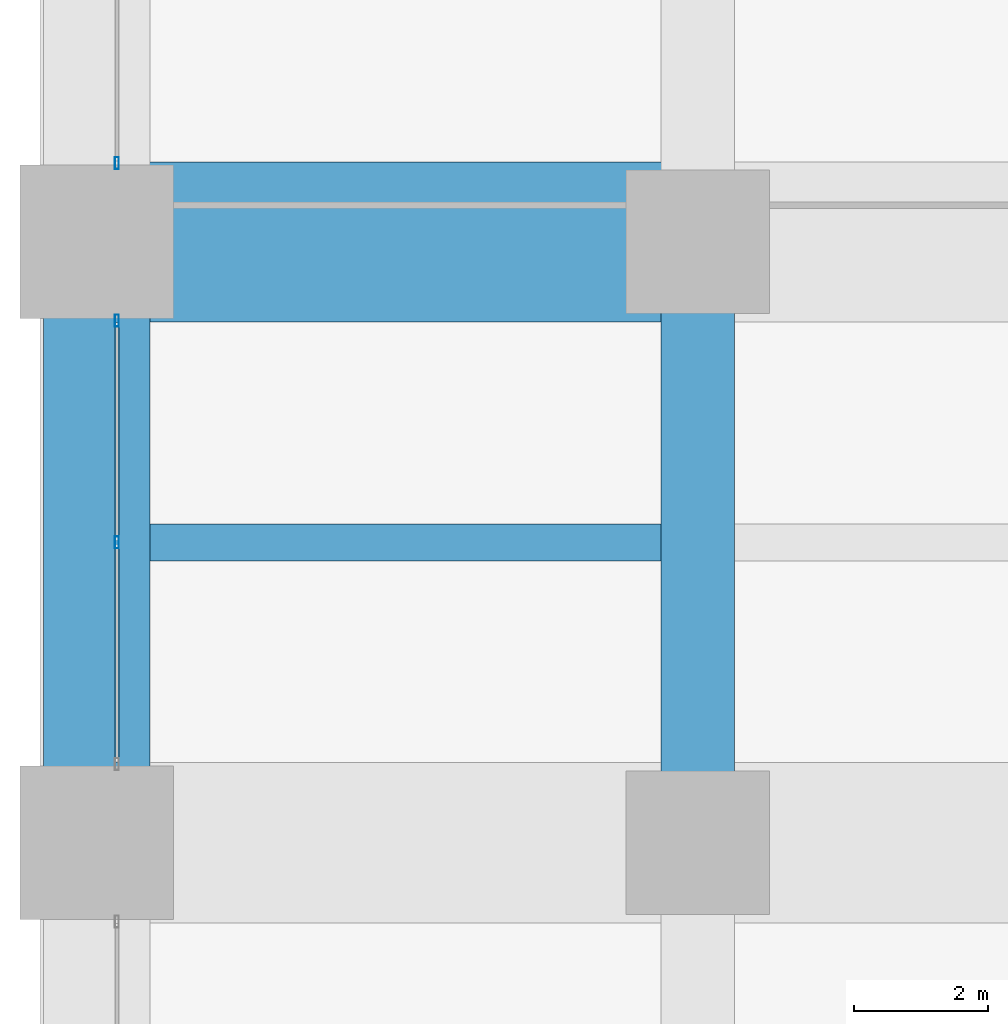
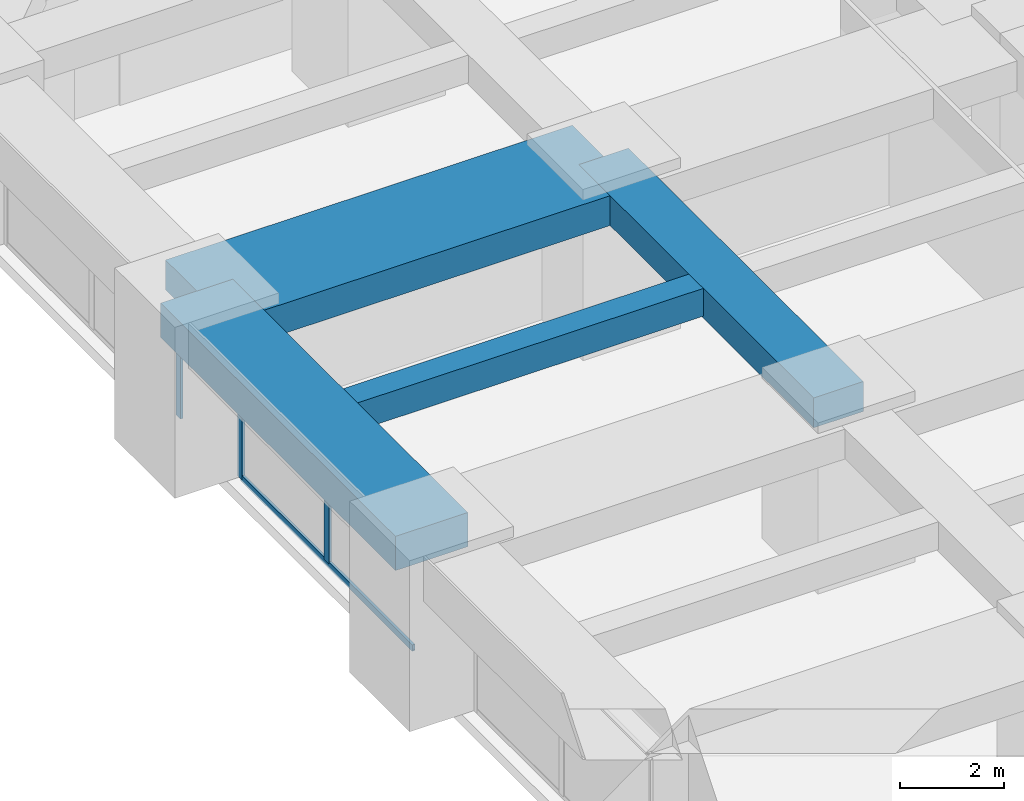
# One storey, part 23 of 43: 4 beams, 4 members, 2 elements without a shape of their own.
"""IFC4 building model written with IfcOpenShell, lengths in metres."""

import ifcopenshell
import ifcopenshell.guid

model = None  # the IFC model being written
_history = None  # IfcOwnerHistory: only IFC2X3 demands one
_inside = {}  # id of a spatial element -> (the spatial element, [elements in it])
_under = {}  # id of a project, library or spatial element -> (it, [spatial elements below it])
_declared = {}  # id of a project -> (the project, [libraries it declares])
_typed = {}  # id of a type object -> (the type object, [elements of that type])
_made_of = {}  # id of a material, layer set ... -> (it, [elements and type objects made of it])


def new_model(schema):
    """Start an empty IFC model of exactly this schema.

    Asked for "IFC4X3", IfcOpenShell would pick the latest addendum, in which some entities
    have other attributes; the version numbers below select the first issue.
    IFC2X3 requires an IfcOwnerHistory on every rooted entity: one is made here for all.
    """
    global model, _history
    if schema == "IFC4X3":
        model = ifcopenshell.file(schema_version=(4, 3, 0, 0))
    else:
        model = ifcopenshell.file(schema=schema)
    _inside.clear()
    _under.clear()
    _declared.clear()
    _typed.clear()
    _made_of.clear()
    _history = None
    if model.schema == "IFC2X3":
        org = make("IfcOrganization", Name="unknown")
        user = make(
            "IfcPersonAndOrganization",
            ThePerson=make("IfcPerson", FamilyName="unknown"),
            TheOrganization=org,
        )
        app = make(
            "IfcApplication",
            ApplicationDeveloper=org,
            Version="unknown",
            ApplicationFullName="unknown",
            ApplicationIdentifier="unknown",
        )
        _history = make(
            "IfcOwnerHistory",
            OwningUser=user,
            OwningApplication=app,
            ChangeAction="ADDED",
            CreationDate=0,
        )
    return model


def make(cls, **values):
    """One entity of the class cls with the attributes given. An attribute that is None is left unset."""
    return model.create_entity(
        cls, **{name: value for name, value in values.items() if value is not None}
    )


def rooted(cls, **values):
    """An entity with a GlobalId (a new one), such as an element, a storey or a relation."""
    return make(cls, GlobalId=ifcopenshell.guid.new(), OwnerHistory=_history, **values)


def si_unit(unit_type, name, prefix=None):
    """IfcSIUnit, for example si_unit("LENGTHUNIT", "METRE", prefix="MILLI")."""
    return make("IfcSIUnit", UnitType=unit_type, Prefix=prefix, Name=name)


def assignment(units):
    """IfcUnitAssignment: the units of a project."""
    return None if units is None else make("IfcUnitAssignment", Units=units)


def point(xyz):
    """IfcCartesianPoint."""
    return None if xyz is None else make("IfcCartesianPoint", Coordinates=xyz)


def direction(xyz):
    """IfcDirection."""
    return None if xyz is None else make("IfcDirection", DirectionRatios=xyz)


def frame(location, z_axis=None, x_axis=None):
    """IfcAxis2Placement3D, a coordinate frame: its origin and axes. An axis left out is left unset."""
    return make(
        "IfcAxis2Placement3D",
        Location=point(location),
        Axis=direction(z_axis),
        RefDirection=direction(x_axis),
    )


def frame_2d(location, x_axis=None):
    """IfcAxis2Placement2D, a coordinate frame in the plane: its origin and x axis."""
    return make(
        "IfcAxis2Placement2D", Location=point(location), RefDirection=direction(x_axis)
    )


def origin():
    """The frame at (0, 0, 0) with its axes left unset."""
    return frame((0.0, 0.0, 0.0))


def origin_2d():
    """The frame at (0, 0) in the plane with its x axis left unset."""
    return frame_2d((0.0, 0.0))


def place(relative_to, where):
    """IfcLocalPlacement: puts the frame where relative to a parent placement (None: the world)."""
    return make(
        "IfcLocalPlacement", PlacementRelTo=relative_to, RelativePlacement=where
    )


def context(
    kind, dimensions, precision=None, world=None, true_north=None, identifier=None
):
    """IfcGeometricRepresentationContext, for example the 3D "Model" context."""
    return make(
        "IfcGeometricRepresentationContext",
        ContextIdentifier=identifier,
        ContextType=kind,
        CoordinateSpaceDimension=dimensions,
        Precision=precision,
        WorldCoordinateSystem=world,
        TrueNorth=true_north,
    )


def subcontext(parent, identifier, kind, view, scale=None):
    """IfcGeometricRepresentationSubContext, for example "Body" below "Model"."""
    return make(
        "IfcGeometricRepresentationSubContext",
        ContextIdentifier=identifier,
        ContextType=kind,
        ParentContext=parent,
        TargetScale=scale,
        TargetView=view,
    )


def project(units=None, contexts=None):
    """IfcProject with its units and contexts."""
    return rooted(
        "IfcProject",
        Name="project",
        RepresentationContexts=contexts,
        UnitsInContext=assignment(units),
    )


def spatial(cls, under=None, at=None, **own):
    """A site, building, storey or space (cls), placed at a placement, below another one or the project."""
    s = rooted(cls, ObjectPlacement=at, **own)
    if under is not None:
        _under.setdefault(under.id(), (under, []))[1].append(s)
    return s


def profile(cls, at=None, kind="AREA", **sizes):
    """A parametric profile (cls). Its sizes go by their IFC names, for example OverallWidth=200.0."""
    return make(cls, ProfileType=kind, Position=at, **sizes)


def rectangle(**sizes):
    """IfcRectangleProfileDef."""
    return profile("IfcRectangleProfileDef", **sizes)


def hollow_rectangle(**sizes):
    """IfcRectangleHollowProfileDef."""
    return profile("IfcRectangleHollowProfileDef", **sizes)


def extrude(swept, where, along, depth):
    """IfcExtrudedAreaSolid: the profile swept, set in the frame where, extruded along a direction by depth."""
    return make(
        "IfcExtrudedAreaSolid",
        SweptArea=swept,
        Position=where,
        ExtrudedDirection=direction(along),
        Depth=depth,
    )


def shape(context_of_items, identifier, shape_type, items):
    """IfcShapeRepresentation: the items that make up one representation, for example the "Body"."""
    return make(
        "IfcShapeRepresentation",
        ContextOfItems=context_of_items,
        RepresentationIdentifier=identifier,
        RepresentationType=shape_type,
        Items=items,
    )


def material(Name=None, Category=None):
    """IfcMaterial."""
    return make("IfcMaterial", Name=Name, Category=Category)


def material_profile(
    of_material, cross_section, Name=None, Category=None, Priority=None
):
    """IfcMaterialProfile: a cross section and its material."""
    return make(
        "IfcMaterialProfile",
        Name=Name,
        Material=of_material,
        Profile=cross_section,
        Priority=Priority,
        Category=Category,
    )


def profile_set(profiles, Name=None, composite=None):
    """IfcMaterialProfileSet."""
    return make(
        "IfcMaterialProfileSet",
        Name=Name,
        MaterialProfiles=profiles,
        CompositeProfile=composite,
    )


def made_of(thing, what):
    """Note that an element or type object is made of a material, layer set ...; save() writes the relation."""
    if what is not None:
        _made_of.setdefault(what.id(), (what, []))[1].append(thing)
    return thing


def type_object(cls, material=None, **own):
    """A type object (cls), such as IfcWallType, which elements share."""
    return made_of(rooted(cls, **own), material)


def element(
    cls,
    number,
    at=None,
    inside=None,
    cuts=None,
    type_object=None,
    material=None,
    context=None,
    identifier="Body",
    shape_type=None,
    held_by="IfcProductDefinitionShape",
    body=None,
    shapes=None,
    **own,
):
    """One element of the class cls, such as IfcWall. Its Tag is "e" and its number.

    at: its placement. inside: the storey or other place that contains it. cuts: it is an
    opening in that element (IfcRelVoidsElement). A single representation is given by context,
    identifier, shape_type and body (its items); several are given by shapes. held_by: the class
    of the entity that holds the representations. save() writes the other relations.
    """
    e = rooted(cls, Tag="e%d" % number, ObjectPlacement=at, **own)
    if body is not None:
        shapes = [shape(context, identifier, shape_type, body)]
    if shapes is not None:
        e.Representation = make(held_by, Representations=shapes)
    if inside is not None:
        _inside.setdefault(inside.id(), (inside, []))[1].append(e)
    if cuts is not None:
        rooted(
            "IfcRelVoidsElement", RelatingBuildingElement=cuts, RelatedOpeningElement=e
        )
    if type_object is not None:
        _typed.setdefault(type_object.id(), (type_object, []))[1].append(e)
    return made_of(e, material)


def aggregate(whole, parts):
    """IfcRelAggregates: a whole, such as a stair, and the parts it consists of."""
    return rooted("IfcRelAggregates", RelatingObject=whole, RelatedObjects=parts)


def save(model, path):
    """Write the relations noted so far, then the file.

    IfcRelAggregates (storeys below a building ...), IfcRelContainedInSpatialStructure (elements
    in a storey), IfcRelDefinesByType, IfcRelAssociatesMaterial and IfcRelDeclares: one each for
    every whole, place, type object, material and project.
    """
    for whole, parts in _under.values():
        aggregate(whole, parts)
    for where, things in _inside.values():
        rooted(
            "IfcRelContainedInSpatialStructure",
            RelatedElements=things,
            RelatingStructure=where,
        )
    for kind, things in _typed.values():
        rooted("IfcRelDefinesByType", RelatedObjects=things, RelatingType=kind)
    for what, things in _made_of.values():
        rooted("IfcRelAssociatesMaterial", RelatedObjects=things, RelatingMaterial=what)
    for by, libraries in _declared.values():
        rooted("IfcRelDeclares", RelatingContext=by, RelatedDefinitions=libraries)
    model.write(path)


model = new_model("IFC4")

# Units and contexts
model_context = context("Model", 3, precision=1e-05, world=origin(), true_north=direction((0.0, 1.0)))
body_context = subcontext(model_context, "Body", "Model", "MODEL_VIEW")
ifc_project = project(units=[si_unit("LENGTHUNIT", "METRE"), si_unit("AREAUNIT", "SQUARE_METRE"), si_unit("VOLUMEUNIT", "CUBIC_METRE"), si_unit("PLANEANGLEUNIT", "RADIAN"), si_unit("MASSUNIT", "GRAM", prefix="KILO")], contexts=[model_context])

# Site, building, storey
site_placement = place(None, origin())
site = spatial("IfcSite", under=ifc_project, at=site_placement, CompositionType="ELEMENT")
building_placement = place(site_placement, origin())
building = spatial("IfcBuilding", under=site, at=building_placement, Name="Zorevar Civic Tower", CompositionType="ELEMENT")
storey_placement = place(building_placement, frame((0.0, 0.0, 67.800048828125)))
storey = spatial("IfcBuildingStorey", under=building, at=storey_placement, Name="L16", CompositionType="ELEMENT", Elevation=67.800048828125)

# Beams
ifc_material_1 = material(Name="Concrete C50/60", Category="concrete")
ifc_material_profile_1 = material_profile(ifc_material_1, rectangle(XDim=1.10009765625, YDim=0.699951171875, at=origin_2d()), Name="RC 1100x700")
ifc_profile_set_1 = profile_set([ifc_material_profile_1], Name="Concrete C50/60")
beam_type_1 = type_object("IfcBeamType", Name="Beam RC 1100x700", PredefinedType="BEAM", material=ifc_profile_set_1)
beam_1_placement = place(storey_placement, frame((9.0, 27.0, 3.39990234375), z_axis=(0.0, 1.0, 0.0), x_axis=(-1.0, 0.0, 0.0)))
element("IfcBeam", 1, at=beam_1_placement, inside=storey, type_object=beam_type_1, Name="Girder L17", PredefinedType="BEAM", context=body_context, shape_type="SweptSolid", body=[
    extrude(rectangle(XDim=1.10009765625, YDim=0.699951171875, at=origin_2d()), origin(), (0.0, 0.0, 1.0), 9.0),
])
ifc_material_2 = material(Name="Concrete C50/60", Category="concrete")
ifc_material_profile_2 = material_profile(ifc_material_2, rectangle(XDim=2.39990234375, YDim=0.699951171875, at=origin_2d()), Name="RC 2400x700")
ifc_profile_set_2 = profile_set([ifc_material_profile_2], Name="Concrete C50/60")
beam_type_2 = type_object("IfcBeamType", Name="Beam RC 2400x700", PredefinedType="BEAM", material=ifc_profile_set_2)
beam_2_placement = place(storey_placement, frame((0.0, 36.0, 3.39990234375), z_axis=(1.0, 0.0, 0.0), x_axis=(0.0, 1.0, 0.0)))
element("IfcBeam", 2, at=beam_2_placement, inside=storey, type_object=beam_type_2, Name="Girder L17", PredefinedType="BEAM", context=body_context, shape_type="SweptSolid", body=[
    extrude(rectangle(XDim=2.39990234375, YDim=0.699951171875, at=origin_2d()), origin(), (0.0, 0.0, 1.0), 9.0),
])
ifc_material_3 = material(Name="Concrete C50/60", Category="concrete")
ifc_material_profile_3 = material_profile(ifc_material_3, rectangle(XDim=0.550048828125, YDim=0.64990234375, at=origin_2d()), Name="RC 550x650")
ifc_profile_set_3 = profile_set([ifc_material_profile_3], Name="Concrete C50/60")
beam_type_3 = type_object("IfcBeamType", Name="Beam RC 550x650", PredefinedType="BEAM", material=ifc_profile_set_3)
beam_3_placement = place(storey_placement, frame((0.800048828125, 31.5, 3.425048828125), z_axis=(1.0, 0.0, 0.0), x_axis=(0.0, 1.0, 0.0)))
element("IfcBeam", 3, at=beam_3_placement, inside=storey, type_object=beam_type_3, Name="Secondary beam L17", PredefinedType="BEAM", context=body_context, shape_type="SweptSolid", body=[
    extrude(rectangle(XDim=0.550048828125, YDim=0.64990234375, at=origin_2d()), origin(), (0.0, 0.0, 1.0), 7.64990234375),
])

# Curtain wall, members
ifc_material_4 = material(Name="Dark grey solar-control glass in black aluminium frame", Category="aluminium")
curtain_wall_type = type_object("IfcCurtainWallType", Name="Curtain wall CW2 low zone", PredefinedType="NOTDEFINED", material=ifc_material_4)
curtain_wall_1_placement = place(storey_placement, origin())
curtain_wall_1 = element("IfcCurtainWall", 4, at=curtain_wall_1_placement, inside=storey, type_object=curtain_wall_type, Name="CW2 L16", PredefinedType="NOTDEFINED")
ifc_material_5 = material(Name="Aluminium, black anodised", Category="aluminium")
ifc_material_profile_4 = material_profile(ifc_material_5, hollow_rectangle(XDim=0.06005859375, YDim=0.179931640625, WallThickness=0.00390625, at=origin_2d()), Name="AL 180x60x4")
ifc_profile_set_4 = profile_set([ifc_material_profile_4], Name="Aluminium, black anodised")
member_type_1 = type_object("IfcMemberType", Name="CW2 mullion AL 180x60x4", PredefinedType="MULLION", material=ifc_profile_set_4)
member_1_placement = place(storey_placement, frame((0.300048828125, 31.5, 0.06005859375), z_axis=(0.0, 0.0, 1.0), x_axis=(-1.0, 0.0, 0.0)))
member_1 = element("IfcMember", 5, at=member_1_placement, type_object=member_type_1, Name="CW2 mullion 2", PredefinedType="MULLION", context=body_context, shape_type="SweptSolid", body=[
    extrude(hollow_rectangle(XDim=0.06005859375, YDim=0.179931640625, WallThickness=0.00390625, at=origin_2d()), origin(), (0.0, 0.0, 1.0), 2.889892578125),
])
member_2_placement = place(storey_placement, frame((0.300048828125, 34.820068359375, 0.0), z_axis=(0.0, 0.0, 1.0), x_axis=(-1.0, 0.0, 0.0)))
member_2 = element("IfcMember", 6, at=member_2_placement, type_object=member_type_1, Name="CW2 mullion 3", PredefinedType="MULLION", context=body_context, shape_type="SweptSolid", body=[
    extrude(hollow_rectangle(XDim=0.06005859375, YDim=0.179931640625, WallThickness=0.00390625, at=origin_2d()), origin(), (0.0, 0.0, 1.0), 2.949951171875),
])

# Curtain wall, member
curtain_wall_2_placement = place(storey_placement, origin())
curtain_wall_2 = element("IfcCurtainWall", 7, at=curtain_wall_2_placement, inside=storey, type_object=curtain_wall_type, Name="CW2 L16", PredefinedType="NOTDEFINED")
member_3_placement = place(storey_placement, frame((0.300048828125, 37.179931640625, 0.0), z_axis=(0.0, 0.0, 1.0), x_axis=(-1.0, 0.0, 0.0)))
member_3 = element("IfcMember", 8, at=member_3_placement, type_object=member_type_1, Name="CW2 mullion 1", PredefinedType="MULLION", context=body_context, shape_type="SweptSolid", body=[
    extrude(hollow_rectangle(XDim=0.06005859375, YDim=0.179931640625, WallThickness=0.00390625, at=origin_2d()), origin(), (0.0, 0.0, 1.0), 2.949951171875),
])
aggregate(curtain_wall_2, [member_3])

# Member
ifc_material_6 = material(Name="Aluminium, black anodised", Category="aluminium")
ifc_material_profile_5 = material_profile(ifc_material_6, hollow_rectangle(XDim=0.06005859375, YDim=0.14990234375, WallThickness=0.00390625, at=origin_2d()), Name="AL 150x60x4")
ifc_profile_set_5 = profile_set([ifc_material_profile_5], Name="Aluminium, black anodised")
member_type_2 = type_object("IfcMemberType", Name="CW2 transom AL 150x60x4", PredefinedType="USERDEFINED", material=ifc_profile_set_5)
member_4_placement = place(storey_placement, frame((0.300048828125, 28.2099609375, 0.030029296875), z_axis=(0.0, 1.0, 0.0), x_axis=(-1.0, 0.0, 0.0)))
member_4 = element("IfcMember", 9, at=member_4_placement, type_object=member_type_2, Name="CW2 sill transom", ObjectType="TRANSOM", PredefinedType="USERDEFINED", context=body_context, shape_type="SweptSolid", body=[
    extrude(hollow_rectangle(XDim=0.06005859375, YDim=0.14990234375, WallThickness=0.00390625, at=origin_2d()), origin(), (0.0, 0.0, 1.0), 6.580078125),
])

aggregate(curtain_wall_1, [member_1, member_2, member_4])

# Beam
ifc_material_7 = material(Name="Concrete C50/60", Category="concrete")
ifc_material_profile_6 = material_profile(ifc_material_7, rectangle(XDim=1.60009765625, YDim=0.800048828125, at=origin_2d()), Name="RC 1600x800")
ifc_profile_set_6 = profile_set([ifc_material_profile_6], Name="Concrete C50/60")
beam_type_4 = type_object("IfcBeamType", Name="Edge beam RC 1600x800", PredefinedType="SPANDREL", material=ifc_profile_set_6)
beam_4_placement = place(storey_placement, frame((0.0, 27.0, 3.349853515625), z_axis=(0.0, 1.0, 0.0), x_axis=(-1.0, 0.0, 0.0)))
element("IfcBeam", 10, at=beam_4_placement, inside=storey, type_object=beam_type_4, Name="Edge beam L17", PredefinedType="SPANDREL", context=body_context, shape_type="SweptSolid", body=[
    extrude(rectangle(XDim=1.60009765625, YDim=0.800048828125, at=origin_2d()), origin(), (0.0, 0.0, 1.0), 9.0),
])

save(model, "model.ifc")
